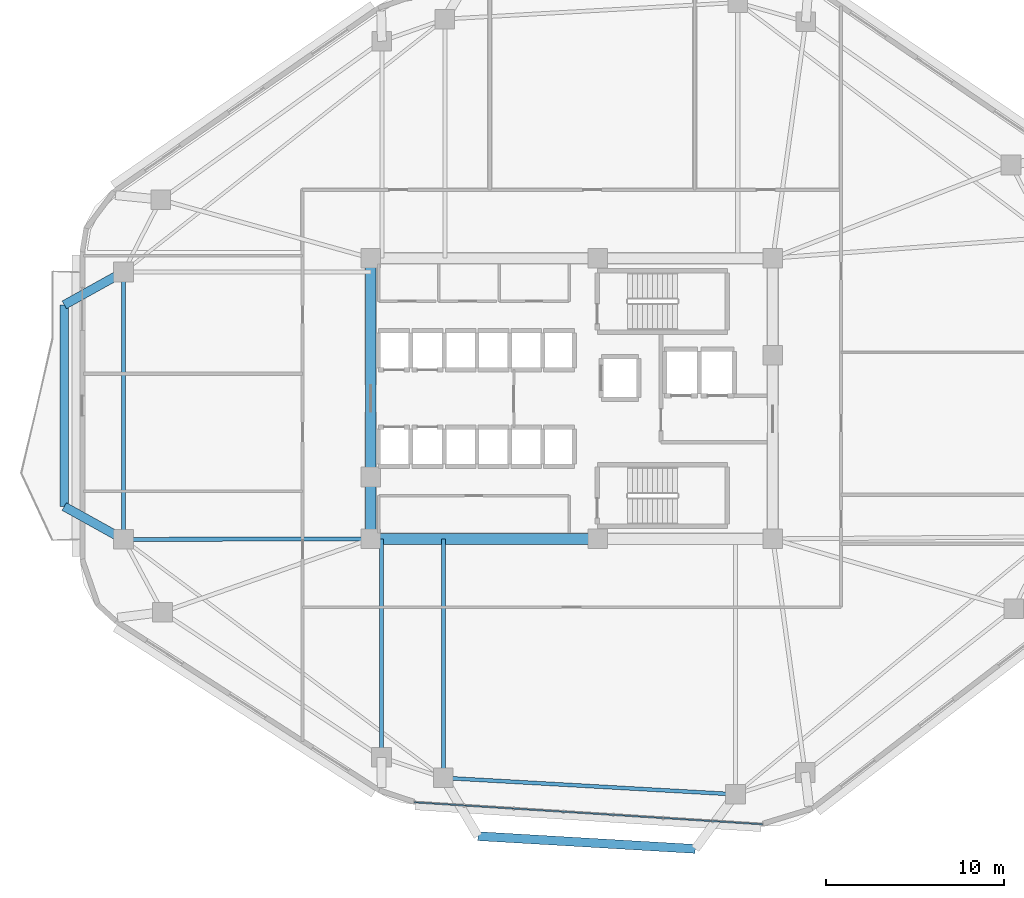
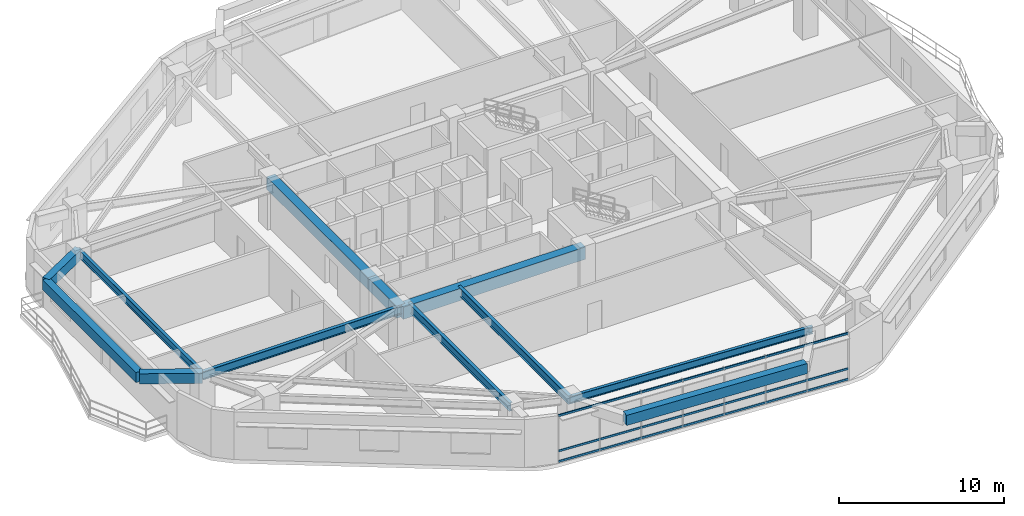
# One storey, part 3 of 12: 12 beams, 3 members, 1 element without a shape of its own.
"""IFC4 building model written with IfcOpenShell, lengths in metres."""

from ifc_helpers import new_model, si_unit, direction, frame, origin, origin_2d, place, context, subcontext, project, spatial, rectangle, hollow_rectangle, i_section, extrude, material, material_profile, profile_set, type_object, element, aggregate, save


model = new_model("IFC4")

# Units and contexts
model_context = context("Model", 3, precision=1e-05, world=origin(), true_north=direction((0.0, 1.0)))
body_context = subcontext(model_context, "Body", "Model", "MODEL_VIEW")
ifc_project = project(units=[si_unit("LENGTHUNIT", "METRE"), si_unit("AREAUNIT", "SQUARE_METRE"), si_unit("VOLUMEUNIT", "CUBIC_METRE"), si_unit("PLANEANGLEUNIT", "RADIAN"), si_unit("MASSUNIT", "GRAM", prefix="KILO")], contexts=[model_context])

# Site, building, storey
site_placement = place(None, origin())
site = spatial("IfcSite", under=ifc_project, at=site_placement, CompositionType="ELEMENT")
building_placement = place(site_placement, origin())
building = spatial("IfcBuilding", under=site, at=building_placement, Name="Zulverin Broadcast Headquarters", CompositionType="ELEMENT")
storey_placement = place(building_placement, frame((0.0, 0.0, 93.39990234375)))
storey = spatial("IfcBuildingStorey", under=building, at=storey_placement, Name="L23", CompositionType="ELEMENT", Elevation=93.39990234375)

# Beams
ifc_material_1 = material(Name="Concrete C60/75", Category="concrete")
ifc_material_profile_1 = material_profile(ifc_material_1, rectangle(XDim=0.60009765625, YDim=0.89990234375, at=origin_2d()), Name="Concrete C60/75", Category="concrete")
ifc_profile_set_1 = profile_set([ifc_material_profile_1], Name="Concrete C60/75")
beam_type_1 = type_object("IfcBeamType", Name="BM-CB-600x900", PredefinedType="LINTEL", material=ifc_profile_set_1)
beam_1_placement = place(storey_placement, frame((25.72509765625, 17.324951171875, 3.0751953125), z_axis=(1.0, 0.0, 0.0), x_axis=(0.0, 1.0, 0.0)))
element("IfcBeam", 1, at=beam_1_placement, inside=storey, type_object=beam_type_1, Name="L23 Core Coupling Girder K01-K02", PredefinedType="LINTEL", context=body_context, shape_type="SweptSolid", body=[
    extrude(rectangle(XDim=0.60009765625, YDim=0.89990234375, at=origin_2d()), origin(), (0.0, 0.0, 1.0), 12.724853515625),
])
beam_2_placement = place(storey_placement, frame((25.72509765625, 33.074951171875, 3.0751953125), z_axis=(0.0, -1.0, 0.0), x_axis=(1.0, 0.0, 0.0)))
element("IfcBeam", 2, at=beam_2_placement, inside=storey, type_object=beam_type_1, Name="L23 Core Coupling Girder K07-K08", PredefinedType="LINTEL", context=body_context, shape_type="SweptSolid", body=[
    extrude(rectangle(XDim=0.60009765625, YDim=0.89990234375, at=origin_2d()), origin(), (0.0, 0.0, 1.0), 12.27490234375),
])
beam_3_placement = place(storey_placement, frame((25.72509765625, 20.800048828125, 3.0751953125), z_axis=(0.0, -1.0, 0.0), x_axis=(1.0, 0.0, 0.0)))
element("IfcBeam", 3, at=beam_3_placement, inside=storey, type_object=beam_type_1, Name="L23 Core Coupling Girder K08-K01", PredefinedType="LINTEL", context=body_context, shape_type="SweptSolid", body=[
    extrude(rectangle(XDim=0.60009765625, YDim=0.89990234375, at=origin_2d()), origin(), (0.0, 0.0, 1.0), 3.47509765625),
])
ifc_material_2 = material(Name="Concrete C40/50", Category="concrete")
ifc_material_profile_2 = material_profile(ifc_material_2, rectangle(XDim=0.5, YDim=0.75, at=origin_2d()), Name="Concrete C40/50", Category="concrete")
ifc_profile_set_2 = profile_set([ifc_material_profile_2], Name="Concrete C40/50")
beam_type_2 = type_object("IfcBeamType", Name="BM-RC-500x750", PredefinedType="BEAM", material=ifc_profile_set_2)
beam_4_placement = place(storey_placement, frame((11.85009765625, 32.298095703125, 3.150146484375), z_axis=(-0.873763019306, -0.486351915893, 0.0), x_axis=(0.486351915893, -0.873763019306, 0.0)))
element("IfcBeam", 4, at=beam_4_placement, inside=storey, type_object=beam_type_2, Name="L24 Balcony Column-Framed Cantilever BAL_W-1", PredefinedType="BEAM", context=body_context, shape_type="SweptSolid", body=[
    extrude(rectangle(XDim=0.5, YDim=0.75, at=origin_2d()), origin(), (0.0, 0.0, 1.0), 3.800048828125),
])
beam_5_placement = place(storey_placement, frame((11.85009765625, 17.297607421875, 3.150146484375), z_axis=(-0.874363278793, 0.485271940975, 0.0), x_axis=(-0.485271940975, -0.874363278793, 0.0)))
element("IfcBeam", 5, at=beam_5_placement, inside=storey, type_object=beam_type_2, Name="L24 Balcony Column-Framed Cantilever BAL_W-2", PredefinedType="BEAM", context=body_context, shape_type="SweptSolid", body=[
    extrude(rectangle(XDim=0.5, YDim=0.75, at=origin_2d()), origin(), (0.0, 0.0, 1.0), 3.7998046875),
])
beam_6_placement = place(storey_placement, frame((8.52978515625, 30.449951171875, 3.150146484375), z_axis=(-0.000194304709, -0.999999981123, 0.0), x_axis=(0.999999981123, -0.000194304709, 0.0)))
element("IfcBeam", 6, at=beam_6_placement, inside=storey, type_object=beam_type_2, Name="L24 Balcony Outer Edge Trimmer Beam BAL_W", PredefinedType="BEAM", context=body_context, shape_type="SweptSolid", body=[
    extrude(rectangle(XDim=0.5, YDim=0.75, at=origin_2d()), origin(), (0.0, 0.0, 1.0), 11.308349609375),
])
beam_7_placement = place(storey_placement, frame((31.731689453125, 0.652099609375, 3.150146484375), z_axis=(0.998282016209, -0.058591945803, 0.0), x_axis=(0.058591945803, 0.998282016209, 0.0)))
element("IfcBeam", 7, at=beam_7_placement, inside=storey, type_object=beam_type_2, Name="L24 Balcony Outer Edge Trimmer Beam BAL_S", PredefinedType="BEAM", context=body_context, shape_type="SweptSolid", body=[
    extrude(rectangle(XDim=0.5, YDim=0.75, at=origin_2d()), origin(), (0.0, 0.0, 1.0), 12.212890625),
])
ifc_material_3 = material(Name="Structural steel S355JR", Category="steel")
ifc_material_profile_3 = material_profile(ifc_material_3, i_section(OverallWidth=0.2119140625, OverallDepth=0.54443359375, WebThickness=0.0126953125, FlangeThickness=0.021240234375, at=origin_2d()), Name="Structural steel S355JR", Category="steel")
ifc_profile_set_3 = profile_set([ifc_material_profile_3], Name="Structural steel S355JR")
beam_type_3 = type_object("IfcBeamType", Name="BM-UB-533", PredefinedType="SPANDREL", material=ifc_profile_set_3)
beam_8_placement = place(storey_placement, frame((29.79638671875, 3.922119140625, 3.252685546875), z_axis=(0.998411385104, -0.056344530297, 0.0), x_axis=(0.056344530297, 0.998411385104, 0.0)))
element("IfcBeam", 8, at=beam_8_placement, inside=storey, type_object=beam_type_3, Name="L23 Perimeter Spandrel Beam SP-01", PredefinedType="SPANDREL", context=body_context, shape_type="SweptSolid", body=[
    extrude(i_section(OverallWidth=0.2119140625, OverallDepth=0.54443359375, WebThickness=0.0126953125, FlangeThickness=0.021240234375, at=origin_2d()), origin(), (0.0, 0.0, 1.0), 16.40478515625),
])
beam_9_placement = place(storey_placement, frame((11.85009765625, 32.298095703125, 3.252685546875), z_axis=(0.0, -1.0, 0.0), x_axis=(1.0, 0.0, 0.0)))
element("IfcBeam", 9, at=beam_9_placement, inside=storey, type_object=beam_type_3, Name="L23 Perimeter Spandrel Beam SP-13", PredefinedType="SPANDREL", context=body_context, shape_type="SweptSolid", body=[
    extrude(i_section(OverallWidth=0.2119140625, OverallDepth=0.54443359375, WebThickness=0.0126953125, FlangeThickness=0.021240234375, at=origin_2d()), origin(), (0.0, 0.0, 1.0), 15.00048828125),
])
ifc_material_profile_4 = material_profile(ifc_material_3, i_section(OverallWidth=0.230224609375, OverallDepth=0.6171875, WebThickness=0.01318359375, FlangeThickness=0.022216796875, at=origin_2d()), Name="Structural steel S355JR", Category="steel")
ifc_profile_set_4 = profile_set([ifc_material_profile_4], Name="Structural steel S355JR")
beam_type_4 = type_object("IfcBeamType", Name="BM-UB-610", PredefinedType="BEAM", material=ifc_profile_set_4)
beam_10_placement = place(storey_placement, frame((29.79638671875, 17.324951171875, 3.216552734375), z_axis=(0.0, -1.0, 0.0), x_axis=(1.0, 0.0, 0.0)))
element("IfcBeam", 10, at=beam_10_placement, inside=storey, type_object=beam_type_4, Name="L23 Radial Primary Floor Beam RB-01", PredefinedType="BEAM", context=body_context, shape_type="SweptSolid", body=[
    extrude(i_section(OverallWidth=0.230224609375, OverallDepth=0.6171875, WebThickness=0.01318359375, FlangeThickness=0.022216796875, at=origin_2d()), origin(), (0.0, 0.0, 1.0), 13.40283203125),
])
beam_11_placement = place(storey_placement, frame((25.72509765625, 17.324951171875, 3.216552734375), z_axis=(-0.999998058136, -0.001970716894, 0.0), x_axis=(0.001970716894, -0.999998058136, 0.0)))
element("IfcBeam", 11, at=beam_11_placement, inside=storey, type_object=beam_type_4, Name="L23 Radial Primary Floor Beam RB-14", PredefinedType="BEAM", context=body_context, shape_type="SweptSolid", body=[
    extrude(i_section(OverallWidth=0.230224609375, OverallDepth=0.6171875, WebThickness=0.01318359375, FlangeThickness=0.022216796875, at=origin_2d()), origin(), (0.0, 0.0, 1.0), 13.875),
])
beam_12_placement = place(storey_placement, frame((26.3251953125, 17.324951171875, 3.216552734375), z_axis=(0.0, -1.0, 0.0), x_axis=(1.0, 0.0, 0.0)))
element("IfcBeam", 12, at=beam_12_placement, inside=storey, type_object=beam_type_4, Name="L23 Radial Primary Floor Beam RB-16", PredefinedType="BEAM", context=body_context, shape_type="SweptSolid", body=[
    extrude(i_section(OverallWidth=0.230224609375, OverallDepth=0.6171875, WebThickness=0.01318359375, FlangeThickness=0.022216796875, at=origin_2d()), origin(), (0.0, 0.0, 1.0), 12.2490234375),
])

# Curtain wall, members
ifc_material_4 = material(Name="Low-zone ribbon unitised curtain wall", Category="aluminium")
curtain_wall_type = type_object("IfcCurtainWallType", Name="CW-TWR-LOW", PredefinedType="USERDEFINED", material=ifc_material_4)
curtain_wall_placement = place(storey_placement, origin())
curtain_wall = element("IfcCurtainWall", 13, at=curtain_wall_placement, inside=storey, type_object=curtain_wall_type, Name="L23 Unitised Curtain Wall CW-L23-E1", ObjectType="UNITISED CURTAIN WALL", PredefinedType="USERDEFINED")
ifc_material_5 = material(Name="Anodized pale-metal aluminium alloy 6063-T6", Category="aluminium")
ifc_material_profile_5 = material_profile(ifc_material_5, hollow_rectangle(XDim=0.074951171875, YDim=0.14990234375, WallThickness=0.0048828125, at=origin_2d()), Name="Anodized pale-metal aluminium alloy 6063-T6", Category="aluminium")
ifc_profile_set_5 = profile_set([ifc_material_profile_5], Name="Anodized pale-metal aluminium alloy 6063-T6")
member_type = type_object("IfcMemberType", Name="CW-TRN-150", PredefinedType="USERDEFINED", material=ifc_profile_set_5)
member_1_placement = place(storey_placement, frame((28.16015625, 2.55126953125, 0.0751953125), z_axis=(0.998017288298, -0.06294038654, 0.0), x_axis=(0.06294038654, 0.998017288298, 0.0)))
member_1 = element("IfcMember", 14, at=member_1_placement, type_object=member_type, Name="CW-L23-E1 Transom 0", ObjectType="TRANSOM", PredefinedType="USERDEFINED", context=body_context, shape_type="SweptSolid", body=[
    extrude(hollow_rectangle(XDim=0.074951171875, YDim=0.14990234375, WallThickness=0.0048828125, at=origin_2d()), origin(), (0.0, 0.0, 1.0), 19.576904296875),
])
member_2_placement = place(storey_placement, frame((28.16015625, 2.55126953125, 0.84619140625), z_axis=(0.998017288298, -0.06294038654, 0.0), x_axis=(0.06294038654, 0.998017288298, 0.0)))
member_2 = element("IfcMember", 15, at=member_2_placement, type_object=member_type, Name="CW-L23-E1 Transom 1", ObjectType="TRANSOM", PredefinedType="USERDEFINED", context=body_context, shape_type="SweptSolid", body=[
    extrude(hollow_rectangle(XDim=0.074951171875, YDim=0.14990234375, WallThickness=0.0048828125, at=origin_2d()), origin(), (0.0, 0.0, 1.0), 19.576904296875),
])
member_3_placement = place(storey_placement, frame((28.16015625, 2.55126953125, 3.4501953125), z_axis=(0.998017288298, -0.06294038654, 0.0), x_axis=(0.06294038654, 0.998017288298, 0.0)))
member_3 = element("IfcMember", 16, at=member_3_placement, type_object=member_type, Name="CW-L23-E1 Transom 2", ObjectType="TRANSOM", PredefinedType="USERDEFINED", context=body_context, shape_type="SweptSolid", body=[
    extrude(hollow_rectangle(XDim=0.074951171875, YDim=0.14990234375, WallThickness=0.0048828125, at=origin_2d()), origin(), (0.0, 0.0, 1.0), 19.576904296875),
])
aggregate(curtain_wall, [member_1, member_2, member_3])

save(model, "model.ifc")
